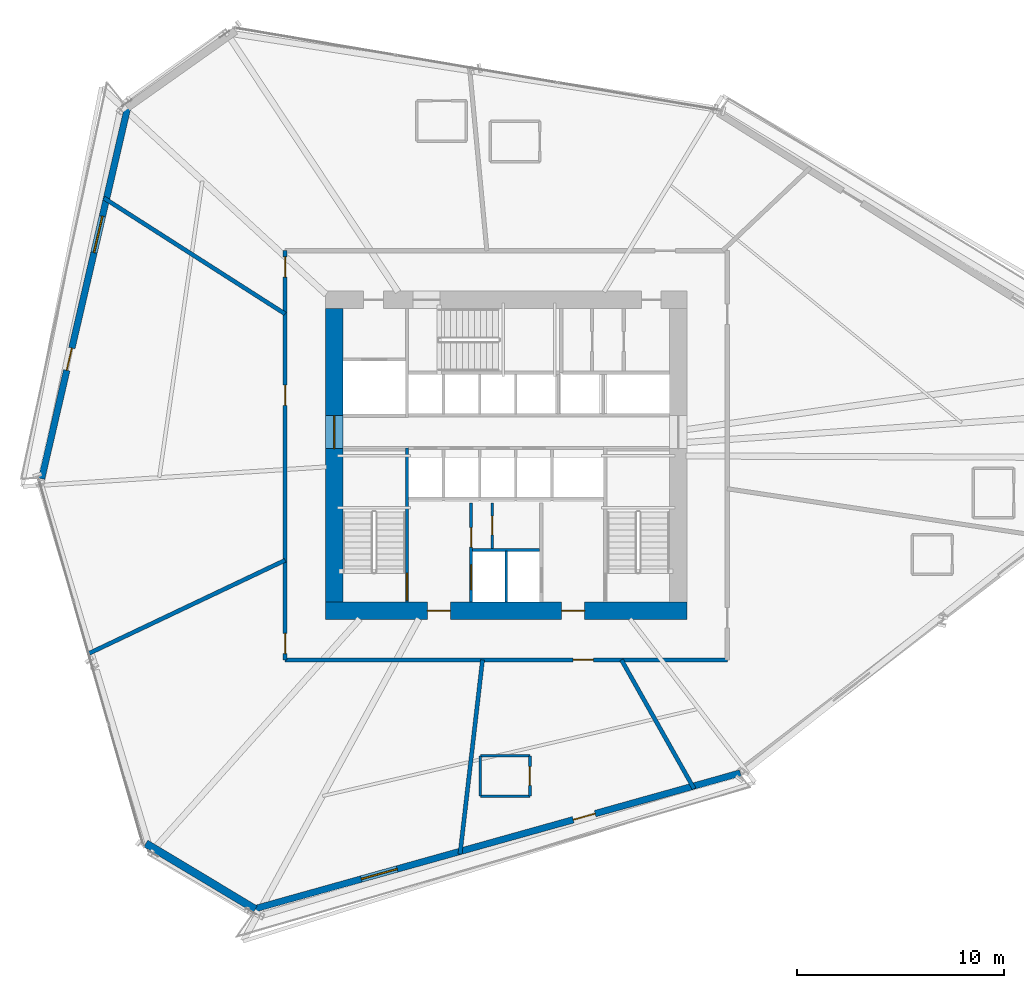
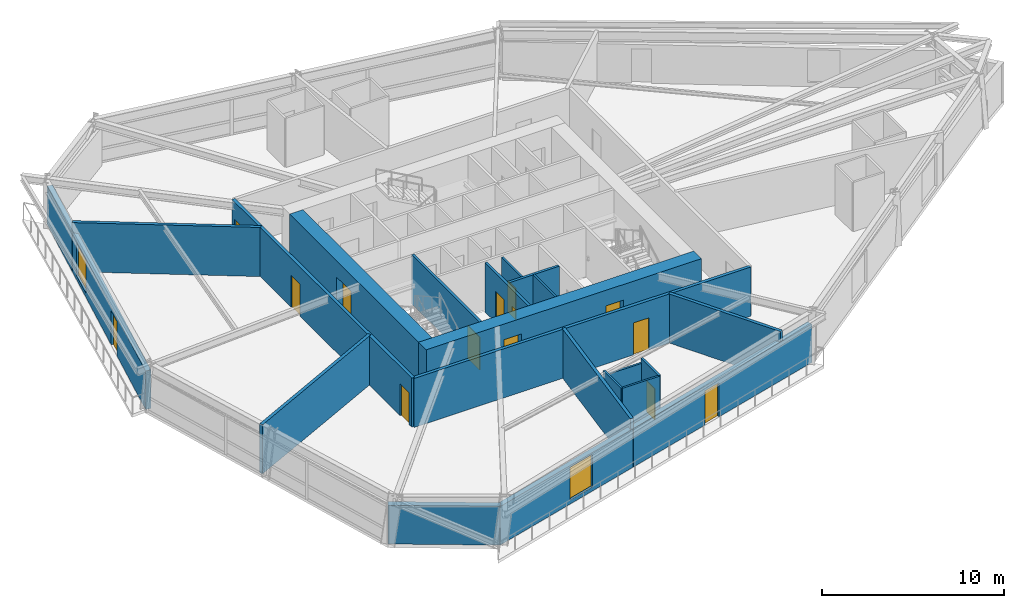
# One storey, part 15 of 21: 20 walls, 14 doors, 2 windows, 16 openings.
"""IFC4 building model written with IfcOpenShell, lengths in metres."""

from ifc_helpers import new_model, si_unit, direction, frame, frame_2d, origin, place, context, subcontext, project, spatial, rectangle, extrude, source, transform, mapped, material, layer, layer_set, type_object, type_shapes, element, fill, save


model = new_model("IFC4")

# Units and contexts
model_context = context("Model", 3, precision=1e-05, world=origin(), true_north=direction((0.0, 1.0)))
body_context = subcontext(model_context, "Body", "Model", "MODEL_VIEW")
ifc_project = project(units=[si_unit("LENGTHUNIT", "METRE"), si_unit("AREAUNIT", "SQUARE_METRE"), si_unit("VOLUMEUNIT", "CUBIC_METRE"), si_unit("PLANEANGLEUNIT", "RADIAN"), si_unit("MASSUNIT", "GRAM", prefix="KILO")], contexts=[model_context])

# Site, building, storey
site_placement = place(None, origin())
site = spatial("IfcSite", under=ifc_project, at=site_placement, CompositionType="ELEMENT")
building_placement = place(site_placement, origin())
building = spatial("IfcBuilding", under=site, at=building_placement, Name="Olszyna Solenne Hotel", CompositionType="ELEMENT")
storey_placement = place(building_placement, frame((0.0, 0.0, 47.050048828125)))
storey = spatial("IfcBuildingStorey", under=building, at=storey_placement, Name="L11", CompositionType="ELEMENT", Elevation=47.050048828125)

# Wall, openings, doors
ifc_material_1 = material(Name="Concrete C60/75", Category="concrete")
ifc_layer_1 = layer(ifc_material_1, 0.85009765625, Name="Concrete C60/75")
ifc_layer_set_1 = layer_set([ifc_layer_1], Name="Concrete C60/75")
wall_type_1 = type_object("IfcWallType", Name="WL-CR850", PredefinedType="SHEAR", material=ifc_layer_set_1)
wall_1_placement = place(storey_placement, frame((46.75, 19.074951171875, 0.0), z_axis=(0.0, 0.0, 1.0), x_axis=(-1.0, 0.0, 0.0)))
wall_1 = element("IfcWall", 1, at=wall_1_placement, inside=storey, type_object=wall_type_1, Name="Core shear wall WL-CR850 CRW-L11-S", PredefinedType="SHEAR", context=body_context, shape_type="SweptSolid", body=[
    extrude(rectangle(XDim=17.5, YDim=0.85009765625, at=frame_2d((8.75, 0.0))), origin(), (0.0, 0.0, 1.0), 3.300048828125),
])
opening_1_placement = place(wall_1_placement, frame((4.949951171875, 0.0, 0.0)))
opening_1 = element("IfcOpeningElement", 2, at=opening_1_placement, cuts=wall_1, Name="Opening FL-L11-1", PredefinedType="OPENING", context=body_context, shape_type="SweptSolid", body=[
    extrude(rectangle(XDim=1.1201171875, YDim=2.25, at=frame_2d((0.56005859375, 1.125))), frame((0.0, 0.43505859375, 0.0), z_axis=(0.0, -1.0, 0.0), x_axis=(1.0, 0.0, 0.0)), (0.0, 0.0, 1.0), 0.8701171875),
])
opening_2_placement = place(wall_1_placement, frame((11.449951171875, 0.0, 0.0)))
opening_2 = element("IfcOpeningElement", 3, at=opening_2_placement, cuts=wall_1, Name="Opening FL-L11-2", PredefinedType="OPENING", context=body_context, shape_type="SweptSolid", body=[
    extrude(rectangle(XDim=1.1201171875, YDim=2.25, at=frame_2d((0.56005859375, 1.125))), frame((0.0, 0.43505859375, 0.0), z_axis=(0.0, -1.0, 0.0), x_axis=(1.0, 0.0, 0.0)), (0.0, 0.0, 1.0), 0.8701171875),
])
ifc_material_2 = material(Name="Steel S355J2", Category="steel")
door_type_1 = type_object("IfcDoorType", Name="DR-FL1", OperationType="NOTDEFINED", PredefinedType="DOOR", material=ifc_material_2)
shared_shape_1 = source(origin(), body_context, "Body", "SweptSolid", [
    extrude(rectangle(XDim=1.1201171875, YDim=2.25, at=frame_2d((0.56005859375, 1.125))), frame((0.0, 0.02490234375, 0.0), z_axis=(0.0, -1.0, 0.0), x_axis=(1.0, 0.0, 0.0)), (0.0, 0.0, 1.0), 0.050048828125),
])
type_shapes(door_type_1, [shared_shape_1])
door_1_placement = place(opening_1_placement, origin())
door_1 = element("IfcDoor", 4, at=door_1_placement, inside=storey, type_object=door_type_1, Name="Firefighting lift lobby smoke door FL-L11-1", OperationType="SINGLE_SWING_LEFT", OverallHeight=2.25, OverallWidth=1.1201171875, PredefinedType="DOOR", context=body_context, shape_type="MappedRepresentation", body=[
    mapped(shared_shape_1, transform((0.0, 0.0, 0.0), x_axis=(1.0, 0.0, 0.0), y_axis=(0.0, 1.0, 0.0), z_axis=(0.0, 0.0, 1.0), scale=1.0)),
])
fill(opening_1, door_1)
door_2_placement = place(opening_2_placement, origin())
door_2 = element("IfcDoor", 5, at=door_2_placement, inside=storey, type_object=door_type_1, Name="Firefighting lift lobby smoke door FL-L11-2", OperationType="SINGLE_SWING_RIGHT", OverallHeight=2.25, OverallWidth=1.1201171875, PredefinedType="DOOR", context=body_context, shape_type="MappedRepresentation", body=[
    mapped(shared_shape_1, transform((0.0, 0.0, 0.0), x_axis=(1.0, 0.0, 0.0), y_axis=(0.0, 1.0, 0.0), z_axis=(0.0, 0.0, 1.0), scale=1.0)),
])
fill(opening_2, door_2)

# Wall, opening, door
wall_2_placement = place(storey_placement, frame((29.675048828125, 19.5, 0.0), z_axis=(0.0, 0.0, 1.0), x_axis=(0.0, 1.0, 0.0)))
wall_2 = element("IfcWall", 6, at=wall_2_placement, inside=storey, type_object=wall_type_1, Name="Core shear wall WL-CR850 CRW-L11-W", PredefinedType="SHEAR", context=body_context, shape_type="SweptSolid", body=[
    extrude(rectangle(XDim=14.199951171875, YDim=0.85009765625, at=frame_2d((7.10009765625, 0.0))), origin(), (0.0, 0.0, 1.0), 3.300048828125),
])
opening_3_placement = place(wall_2_placement, frame((7.419921875, 0.0, 0.0)))
opening_3 = element("IfcOpeningElement", 7, at=opening_3_placement, cuts=wall_2, Name="Opening LHD-L11-W", PredefinedType="OPENING", context=body_context, shape_type="SweptSolid", body=[
    extrude(rectangle(XDim=1.60009765625, YDim=2.199951171875, at=frame_2d((0.800048828125, 1.10009765625))), frame((0.0, 0.43505859375, 0.0), z_axis=(0.0, -1.0, 0.0), x_axis=(1.0, 0.0, 0.0)), (0.0, 0.0, 1.0), 0.8701171875),
])
ifc_material_3 = material(Name="Timber hardwood", Category="wood")
door_type_2 = type_object("IfcDoorType", Name="DR-CR1", OperationType="DOUBLE_DOOR_SINGLE_SWING", PredefinedType="DOOR", material=ifc_material_3)
shared_shape_2 = source(origin(), body_context, "Body", "SweptSolid", [
    extrude(rectangle(XDim=1.60009765625, YDim=2.199951171875, at=frame_2d((0.800048828125, 1.10009765625))), frame((0.0, 0.02490234375, 0.0), z_axis=(0.0, -1.0, 0.0), x_axis=(1.0, 0.0, 0.0)), (0.0, 0.0, 1.0), 0.050048828125),
])
type_shapes(door_type_2, [shared_shape_2])
door_3_placement = place(opening_3_placement, origin())
door_3 = element("IfcDoor", 8, at=door_3_placement, inside=storey, type_object=door_type_2, Name="Passenger lift lobby West fire door LHD-L11-W", OperationType="DOUBLE_DOOR_SINGLE_SWING", OverallHeight=2.199951171875, OverallWidth=1.60009765625, PredefinedType="DOOR", context=body_context, shape_type="MappedRepresentation", body=[
    mapped(shared_shape_2, transform((0.0, 0.0, 0.0), x_axis=(1.0, 0.0, 0.0), y_axis=(0.0, 1.0, 0.0), z_axis=(0.0, 0.0, 1.0), scale=1.0)),
])
fill(opening_3, door_3)

# Wall, openings, door, window
ifc_material_4 = material(Name="Precast concrete C45/55", Category="concrete")
ifc_layer_2 = layer(ifc_material_4, 0.320068359375, Name="Precast concrete C45/55")
ifc_layer_set_2 = layer_set([ifc_layer_2], Name="Precast concrete C45/55")
wall_type_2 = type_object("IfcWallType", Name="WL-EX320", PredefinedType="SOLIDWALL", material=ifc_layer_set_2)
wall_3_placement = place(storey_placement, frame((49.33251953125, 11.221923828125, 0.0), z_axis=(0.0, 0.0, 1.0), x_axis=(-0.96305403072, -0.269308250734, 0.0)))
wall_3 = element("IfcWall", 9, at=wall_3_placement, inside=storey, type_object=wall_type_2, Name="Exterior terracotta-precast frame wall WL-EX320 EW-L11-01", PredefinedType="SOLIDWALL", context=body_context, shape_type="SweptSolid", body=[
    extrude(rectangle(XDim=24.521240234375, YDim=0.320068359375, at=frame_2d((12.2607421875, 0.0))), origin(), (0.0, 0.0, 1.0), 2.592041015625),
])
opening_4_placement = place(wall_3_placement, frame((7.297119140625, 0.0, 0.0)))
opening_4 = element("IfcOpeningElement", 10, at=opening_4_placement, cuts=wall_3, Name="Opening LDG-L11-3", PredefinedType="OPENING", context=body_context, shape_type="SweptSolid", body=[
    extrude(rectangle(XDim=1.10009765625, YDim=2.300048828125, at=frame_2d((0.550048828125, 1.14990234375))), frame((0.0, 0.169921875, 0.0), z_axis=(0.0, -1.0, 0.0), x_axis=(1.0, 0.0, 0.0)), (0.0, 0.0, 1.0), 0.340087890625),
])
opening_5_placement = place(wall_3_placement, frame((17.24609375, 0.0, 0.27197265625)))
opening_5 = element("IfcOpeningElement", 11, at=opening_5_placement, cuts=wall_3, Name="Opening WN-L11-046", PredefinedType="OPENING", context=body_context, shape_type="SweptSolid", body=[
    extrude(rectangle(XDim=1.800048828125, YDim=2.199951171875, at=frame_2d((0.89990234375, 1.10009765625))), frame((0.0, 0.169921875, 0.0), z_axis=(0.0, -1.0, 0.0), x_axis=(1.0, 0.0, 0.0)), (0.0, 0.0, 1.0), 0.340087890625),
])
ifc_material_5 = material(Name="Anodised bronze aluminium", Category="aluminium")
door_type_3 = type_object("IfcDoorType", Name="DR-LG1", OperationType="NOTDEFINED", PredefinedType="DOOR", material=ifc_material_5)
shared_shape_3 = source(origin(), body_context, "Body", "SweptSolid", [
    extrude(rectangle(XDim=1.10009765625, YDim=2.300048828125, at=frame_2d((0.550048828125, 1.14990234375))), frame((0.0, 0.02490234375, 0.0), z_axis=(0.0, -1.0, 0.0), x_axis=(1.0, 0.0, 0.0)), (0.0, 0.0, 1.0), 0.050048828125),
])
type_shapes(door_type_3, [shared_shape_3])
door_4_placement = place(opening_4_placement, origin())
door_4 = element("IfcDoor", 12, at=door_4_placement, inside=storey, type_object=door_type_3, Name="Exterior loggia balcony door DR-LG1 LDG-L11-3", OperationType="SINGLE_SWING_LEFT", OverallHeight=2.300048828125, OverallWidth=1.10009765625, PredefinedType="DOOR", context=body_context, shape_type="MappedRepresentation", body=[
    mapped(shared_shape_3, transform((0.0, 0.0, 0.0), x_axis=(1.0, 0.0, 0.0), y_axis=(0.0, 1.0, 0.0), z_axis=(0.0, 0.0, 1.0), scale=1.0)),
])
fill(opening_4, door_4)
ifc_material_6 = material(Name="Low-E triple glazing", Category="glass")
window_type = type_object("IfcWindowType", Name="WN-HT1", PartitioningType="SINGLE_PANEL", PredefinedType="WINDOW", material=ifc_material_6)
shared_shape_4 = source(origin(), body_context, "Body", "SweptSolid", [
    extrude(rectangle(XDim=1.800048828125, YDim=2.199951171875, at=frame_2d((0.89990234375, 1.10009765625))), frame((0.0, 0.030029296875, 0.0), z_axis=(0.0, -1.0, 0.0), x_axis=(1.0, 0.0, 0.0)), (0.0, 0.0, 1.0), 0.06005859375),
])
type_shapes(window_type, [shared_shape_4])
window_1_placement = place(opening_5_placement, origin())
window_1 = element("IfcWindow", 13, at=window_1_placement, inside=storey, type_object=window_type, Name="Loggia room window WN-HT1 WN-L11-046", OverallHeight=2.199951171875, OverallWidth=1.800048828125, PartitioningType="SINGLE_PANEL", PredefinedType="WINDOW", context=body_context, shape_type="MappedRepresentation", body=[
    mapped(shared_shape_4, transform((0.0, 0.0, 0.0), x_axis=(1.0, 0.0, 0.0), y_axis=(0.0, 1.0, 0.0), z_axis=(0.0, 0.0, 1.0), scale=1.0)),
])
fill(opening_5, window_1)

wall_4_placement = place(storey_placement, frame((15.514404296875, 25.46484375, 0.0), z_axis=(0.0, 0.0, 1.0), x_axis=(0.225730433285, 0.9741898026, 0.0)))
wall_4 = element("IfcWall", 14, at=wall_4_placement, inside=storey, type_object=wall_type_2, Name="Exterior terracotta-precast frame wall WL-EX320 EW-L11-04", PredefinedType="SOLIDWALL", context=body_context, shape_type="SweptSolid", body=[
    extrude(rectangle(XDim=18.567138671875, YDim=0.320068359375, at=frame_2d((9.28369140625, 0.0))), origin(), (0.0, 0.0, 1.0), 2.592041015625),
])
opening_6_placement = place(wall_4_placement, frame((5.39111328125, 0.0, 0.0)))
opening_6 = element("IfcOpeningElement", 15, at=opening_6_placement, cuts=wall_4, Name="Opening LDG-L11-2", PredefinedType="OPENING", context=body_context, shape_type="SweptSolid", body=[
    extrude(rectangle(XDim=1.10009765625, YDim=2.300048828125, at=frame_2d((0.550048828125, 1.14990234375))), frame((0.0, 0.169921875, 0.0), z_axis=(0.0, -1.0, 0.0), x_axis=(1.0, 0.0, 0.0)), (0.0, 0.0, 1.0), 0.340087890625),
])
opening_7_placement = place(wall_4_placement, frame((11.239990234375, 0.0, 0.27197265625)))
opening_7 = element("IfcOpeningElement", 16, at=opening_7_placement, cuts=wall_4, Name="Opening WN-L11-047", PredefinedType="OPENING", context=body_context, shape_type="SweptSolid", body=[
    extrude(rectangle(XDim=1.800048828125, YDim=2.199951171875, at=frame_2d((0.89990234375, 1.10009765625))), frame((0.0, 0.169921875, 0.0), z_axis=(0.0, -1.0, 0.0), x_axis=(1.0, 0.0, 0.0)), (0.0, 0.0, 1.0), 0.340087890625),
])
door_5_placement = place(opening_6_placement, origin())
door_5 = element("IfcDoor", 17, at=door_5_placement, inside=storey, type_object=door_type_3, Name="Exterior loggia balcony door DR-LG1 LDG-L11-2", OperationType="SINGLE_SWING_RIGHT", OverallHeight=2.300048828125, OverallWidth=1.10009765625, PredefinedType="DOOR", context=body_context, shape_type="MappedRepresentation", body=[
    mapped(shared_shape_3, transform((0.0, 0.0, 0.0), x_axis=(1.0, 0.0, 0.0), y_axis=(0.0, 1.0, 0.0), z_axis=(0.0, 0.0, 1.0), scale=1.0)),
])
fill(opening_6, door_5)
window_2_placement = place(opening_7_placement, origin())
window_2 = element("IfcWindow", 18, at=window_2_placement, inside=storey, type_object=window_type, Name="Loggia room window WN-HT1 WN-L11-047", OverallHeight=2.199951171875, OverallWidth=1.800048828125, PartitioningType="SINGLE_PANEL", PredefinedType="WINDOW", context=body_context, shape_type="MappedRepresentation", body=[
    mapped(shared_shape_4, transform((0.0, 0.0, 0.0), x_axis=(1.0, 0.0, 0.0), y_axis=(0.0, 1.0, 0.0), z_axis=(0.0, 0.0, 1.0), scale=1.0)),
])
fill(opening_7, window_2)

# Walls
ifc_material_7 = material(Name="Terracotta cladding on precast concrete C45/55", Category="masonry")
ifc_layer_3 = layer(ifc_material_7, 0.3798828125, Name="Terracotta cladding on precast concrete C45/55")
ifc_layer_set_3 = layer_set([ifc_layer_3], Name="Terracotta cladding on precast concrete C45/55")
wall_type_3 = type_object("IfcWallType", Name="WL-EX380", PredefinedType="SOLIDWALL", material=ifc_layer_set_3)
wall_5_placement = place(storey_placement, frame((25.858154296875, 4.626953125, 0.0), z_axis=(0.0, 0.0, 1.0), x_axis=(-0.857186181791, 0.515006650196, 0.0)))
element("IfcWall", 19, at=wall_5_placement, inside=storey, type_object=wall_type_3, Name="Exterior terracotta-precast frame wall WL-EX380 EW-L11-02", PredefinedType="SOLIDWALL", context=body_context, shape_type="SweptSolid", body=[
    extrude(rectangle(XDim=6.18310546875, YDim=0.3798828125, at=frame_2d((3.091552734375, 0.0))), origin(), (0.0, 0.0, 1.0), 2.592041015625),
])
ifc_material_8 = material(Name="Acoustic gypsum partition", Category="gypsum")
ifc_layer_4 = layer(ifc_material_8, 0.125, Name="Acoustic gypsum partition")
ifc_layer_set_4 = layer_set([ifc_layer_4], Name="Acoustic gypsum partition")
wall_type_4 = type_object("IfcWallType", Name="WL-PT125", PredefinedType="PARTITIONING", material=ifc_layer_set_4)
wall_6_placement = place(storey_placement, frame((38.0, 19.5, 0.0), z_axis=(0.0, 0.0, 1.0), x_axis=(0.0, 1.0, 0.0)))
element("IfcWall", 20, at=wall_6_placement, inside=storey, type_object=wall_type_4, Name="Core shaft compartment wall CW-L11-FFM", PredefinedType="PARTITIONING", context=body_context, shape_type="SweptSolid", body=[
    extrude(rectangle(XDim=2.4599609375, YDim=0.125, at=frame_2d((1.22998046875, 0.0))), origin(), (0.0, 0.0, 1.0), 3.300048828125),
])

# Wall, opening, door
wall_7_placement = place(storey_placement, frame((37.330078125, 22.10009765625, 0.0), z_axis=(0.0, 0.0, 1.0), x_axis=(0.0, 1.0, 0.0)))
wall_7 = element("IfcWall", 21, at=wall_7_placement, inside=storey, type_object=wall_type_4, Name="Core shaft compartment wall CW-L11-SC3", PredefinedType="PARTITIONING", context=body_context, shape_type="SweptSolid", body=[
    extrude(rectangle(XDim=2.179931640625, YDim=0.125, at=frame_2d((1.08984375, 0.0))), origin(), (0.0, 0.0, 1.0), 3.300048828125),
])
opening_8_placement = place(wall_7_placement, frame((0.64990234375, 0.0, 0.0)))
opening_8 = element("IfcOpeningElement", 22, at=opening_8_placement, cuts=wall_7, Name="Opening SVD-L11-SC3", PredefinedType="OPENING", context=body_context, shape_type="SweptSolid", body=[
    extrude(rectangle(XDim=0.89990234375, YDim=2.10009765625, at=frame_2d((0.449951171875, 1.050048828125))), frame((0.0, 0.072509765625, 0.0), z_axis=(0.0, -1.0, 0.0), x_axis=(1.0, 0.0, 0.0)), (0.0, 0.0, 1.0), 0.14501953125),
])
door_type_4 = type_object("IfcDoorType", Name="DR-WC1", OperationType="NOTDEFINED", PredefinedType="DOOR", material=ifc_material_3)
shared_shape_5 = source(origin(), body_context, "Body", "SweptSolid", [
    extrude(rectangle(XDim=0.89990234375, YDim=2.10009765625, at=frame_2d((0.449951171875, 1.050048828125))), frame((0.0, 0.02490234375, 0.0), z_axis=(0.0, -1.0, 0.0), x_axis=(1.0, 0.0, 0.0)), (0.0, 0.0, 1.0), 0.050048828125),
])
type_shapes(door_type_4, [shared_shape_5])
door_6_placement = place(opening_8_placement, origin())
door_6 = element("IfcDoor", 23, at=door_6_placement, inside=storey, type_object=door_type_4, Name="Trolley bay door SVD-L11-SC3", OperationType="SINGLE_SWING_LEFT", OverallHeight=2.10009765625, OverallWidth=0.89990234375, PredefinedType="DOOR", context=body_context, shape_type="MappedRepresentation", body=[
    mapped(shared_shape_5, transform((0.0, 0.0, 0.0), x_axis=(1.0, 0.0, 0.0), y_axis=(0.0, 1.0, 0.0), z_axis=(0.0, 0.0, 1.0), scale=1.0)),
])
fill(opening_8, door_6)

wall_8_placement = place(storey_placement, frame((39.15087890625, 10.10205078125, 0.0), z_axis=(0.0, 0.0, 1.0), x_axis=(0.0, 1.0, 0.0)))
wall_8 = element("IfcWall", 24, at=wall_8_placement, inside=storey, type_object=wall_type_4, Name="Interior acoustic partition WL-PT125 PW-L11-0616", PredefinedType="PARTITIONING", context=body_context, shape_type="SweptSolid", body=[
    extrude(rectangle(XDim=1.949951171875, YDim=0.125, at=frame_2d((0.97509765625, 0.0))), origin(), (0.0, 0.0, 1.0), 3.300048828125),
])
opening_9_placement = place(wall_8_placement, frame((0.52490234375, 0.0, 0.0)))
opening_9 = element("IfcOpeningElement", 25, at=opening_9_placement, cuts=wall_8, Name="Opening DR-L11-0132", PredefinedType="OPENING", context=body_context, shape_type="SweptSolid", body=[
    extrude(rectangle(XDim=0.89990234375, YDim=2.10009765625, at=frame_2d((0.449951171875, 1.050048828125))), frame((0.0, 0.072509765625, 0.0), z_axis=(0.0, -1.0, 0.0), x_axis=(1.0, 0.0, 0.0)), (0.0, 0.0, 1.0), 0.14501953125),
])
door_7_placement = place(opening_9_placement, origin())
door_7 = element("IfcDoor", 26, at=door_7_placement, inside=storey, type_object=door_type_4, Name="En-Suite Bathroom Door DR-L11-0132", OperationType="SINGLE_SWING_RIGHT", OverallHeight=2.10009765625, OverallWidth=0.89990234375, PredefinedType="DOOR", context=body_context, shape_type="MappedRepresentation", body=[
    mapped(shared_shape_5, transform((0.0, 0.0, 0.0), x_axis=(1.0, 0.0, 0.0), y_axis=(0.0, 1.0, 0.0), z_axis=(0.0, 0.0, 1.0), scale=1.0)),
])
fill(opening_9, door_7)

# Walls
wall_9_placement = place(storey_placement, frame((39.15087890625, 12.052001953125, 0.0), z_axis=(0.0, 0.0, 1.0), x_axis=(-1.0, 0.0, 0.0)))
element("IfcWall", 27, at=wall_9_placement, inside=storey, type_object=wall_type_4, Name="Interior acoustic partition WL-PT125 PW-L11-0617", PredefinedType="PARTITIONING", context=body_context, shape_type="SweptSolid", body=[
    extrude(rectangle(XDim=2.39990234375, YDim=0.125, at=frame_2d((1.199951171875, 0.0))), origin(), (0.0, 0.0, 1.0), 2.98486328125),
])
wall_10_placement = place(storey_placement, frame((36.7509765625, 12.052001953125, 0.0), z_axis=(0.0, 0.0, 1.0), x_axis=(0.0, -1.0, 0.0)))
element("IfcWall", 28, at=wall_10_placement, inside=storey, type_object=wall_type_4, Name="Interior acoustic partition WL-PT125 PW-L11-0618", PredefinedType="PARTITIONING", context=body_context, shape_type="SweptSolid", body=[
    extrude(rectangle(XDim=1.949951171875, YDim=0.125, at=frame_2d((0.97509765625, 0.0))), origin(), (0.0, 0.0, 1.0), 3.300048828125),
])
wall_11_placement = place(storey_placement, frame((36.7509765625, 10.10205078125, 0.0), z_axis=(0.0, 0.0, 1.0), x_axis=(1.0, 0.0, 0.0)))
element("IfcWall", 29, at=wall_11_placement, inside=storey, type_object=wall_type_4, Name="Interior acoustic partition WL-PT125 PW-L11-0619", PredefinedType="PARTITIONING", context=body_context, shape_type="SweptSolid", body=[
    extrude(rectangle(XDim=2.39990234375, YDim=0.125, at=frame_2d((1.199951171875, 0.0))), origin(), (0.0, 0.0, 1.0), 3.300048828125),
])

# Wall, opening, door
ifc_layer_5 = layer(ifc_material_8, 0.159912109375, Name="Acoustic gypsum partition")
ifc_layer_set_5 = layer_set([ifc_layer_5], Name="Acoustic gypsum partition")
wall_type_5 = type_object("IfcWallType", Name="WL-PT160", PredefinedType="PARTITIONING", material=ifc_layer_set_5)
wall_12_placement = place(storey_placement, frame((33.199951171875, 19.5, 0.0), z_axis=(0.0, 0.0, 1.0), x_axis=(0.0, 1.0, 0.0)))
wall_12 = element("IfcWall", 30, at=wall_12_placement, inside=storey, type_object=wall_type_5, Name="Core shaft compartment wall CW-L11-ST1E", PredefinedType="PARTITIONING", context=body_context, shape_type="SweptSolid", body=[
    extrude(rectangle(XDim=7.4599609375, YDim=0.159912109375, at=frame_2d((3.72998046875, 0.0))), origin(), (0.0, 0.0, 1.0), 3.300048828125),
])
opening_10_placement = place(wall_12_placement, frame((0.080078125, 0.0, 0.0)))
opening_10 = element("IfcOpeningElement", 31, at=opening_10_placement, cuts=wall_12, Name="Opening STD-L11-01", PredefinedType="OPENING", context=body_context, shape_type="SweptSolid", body=[
    extrude(rectangle(XDim=1.320068359375, YDim=2.199951171875, at=frame_2d((0.66015625, 1.10009765625))), frame((0.0, 0.08984375, 0.0), z_axis=(0.0, -1.0, 0.0), x_axis=(1.0, 0.0, 0.0)), (0.0, 0.0, 1.0), 0.179931640625),
])
door_type_5 = type_object("IfcDoorType", Name="DR-ST1", OperationType="NOTDEFINED", PredefinedType="DOOR", material=ifc_material_2)
shared_shape_6 = source(origin(), body_context, "Body", "SweptSolid", [
    extrude(rectangle(XDim=1.320068359375, YDim=2.199951171875, at=frame_2d((0.66015625, 1.10009765625))), frame((0.0, 0.02490234375, 0.0), z_axis=(0.0, -1.0, 0.0), x_axis=(1.0, 0.0, 0.0)), (0.0, 0.0, 1.0), 0.050048828125),
])
type_shapes(door_type_5, [shared_shape_6])
door_8_placement = place(opening_10_placement, origin())
door_8 = element("IfcDoor", 32, at=door_8_placement, inside=storey, type_object=door_type_5, Name="Pressurised exit stair ST1 fire door STD-L11-01", OperationType="SINGLE_SWING_LEFT", OverallHeight=2.199951171875, OverallWidth=1.320068359375, PredefinedType="DOOR", context=body_context, shape_type="MappedRepresentation", body=[
    mapped(shared_shape_6, transform((0.0, 0.0, 0.0), x_axis=(1.0, 0.0, 0.0), y_axis=(0.0, 1.0, 0.0), z_axis=(0.0, 0.0, 1.0), scale=1.0)),
])
fill(opening_10, door_8)

# Wall, openings, doors
wall_13_placement = place(storey_placement, frame((36.300048828125, 19.5, 0.0), z_axis=(0.0, 0.0, 1.0), x_axis=(0.0, 1.0, 0.0)))
wall_13 = element("IfcWall", 33, at=wall_13_placement, inside=storey, type_object=wall_type_5, Name="Core shaft compartment wall CW-L11-FF1W", PredefinedType="PARTITIONING", context=body_context, shape_type="SweptSolid", body=[
    extrude(rectangle(XDim=4.780029296875, YDim=0.159912109375, at=frame_2d((2.39013671875, 0.0))), origin(), (0.0, 0.0, 1.0), 3.300048828125),
])
opening_11_placement = place(wall_13_placement, frame((0.60009765625, 0.0, 0.0)))
opening_11 = element("IfcOpeningElement", 34, at=opening_11_placement, cuts=wall_13, Name="Opening LD-L11-FF1", PredefinedType="OPENING", context=body_context, shape_type="SweptSolid", body=[
    extrude(rectangle(XDim=1.199951171875, YDim=2.199951171875, at=frame_2d((0.60009765625, 1.10009765625))), frame((0.0, 0.08984375, 0.0), z_axis=(0.0, -1.0, 0.0), x_axis=(1.0, 0.0, 0.0)), (0.0, 0.0, 1.0), 0.179931640625),
])
opening_12_placement = place(wall_13_placement, frame((2.64990234375, 0.0, 0.0)))
opening_12 = element("IfcOpeningElement", 35, at=opening_12_placement, cuts=wall_13, Name="Opening SVD-L11-SMK", PredefinedType="OPENING", context=body_context, shape_type="SweptSolid", body=[
    extrude(rectangle(XDim=0.949951171875, YDim=2.10009765625, at=frame_2d((0.47509765625, 1.050048828125))), frame((0.0, 0.08984375, 0.0), z_axis=(0.0, -1.0, 0.0), x_axis=(1.0, 0.0, 0.0)), (0.0, 0.0, 1.0), 0.179931640625),
])
door_type_6 = type_object("IfcDoorType", Name="DR-SV1", OperationType="NOTDEFINED", PredefinedType="DOOR", material=ifc_material_2)
shared_shape_7 = source(origin(), body_context, "Body", "SweptSolid", [
    extrude(rectangle(XDim=0.949951171875, YDim=2.10009765625, at=frame_2d((0.47509765625, 1.050048828125))), frame((0.0, 0.02490234375, 0.0), z_axis=(0.0, -1.0, 0.0), x_axis=(1.0, 0.0, 0.0)), (0.0, 0.0, 1.0), 0.050048828125),
])
type_shapes(door_type_6, [shared_shape_7])
door_9_placement = place(opening_12_placement, origin())
door_9 = element("IfcDoor", 36, at=door_9_placement, inside=storey, type_object=door_type_6, Name="Valet and core service room door SVD-L11-SMK", OperationType="SINGLE_SWING_LEFT", OverallHeight=2.10009765625, OverallWidth=0.949951171875, PredefinedType="DOOR", context=body_context, shape_type="MappedRepresentation", body=[
    mapped(shared_shape_7, transform((0.0, 0.0, 0.0), x_axis=(1.0, 0.0, 0.0), y_axis=(0.0, 1.0, 0.0), z_axis=(0.0, 0.0, 1.0), scale=1.0)),
])
fill(opening_12, door_9)
door_type_7 = type_object("IfcDoorType", Name="LD-FF1", OperationType="DOUBLE_DOOR_SLIDING", PredefinedType="DOOR", material=ifc_material_2)
shared_shape_8 = source(origin(), body_context, "Body", "SweptSolid", [
    extrude(rectangle(XDim=1.199951171875, YDim=2.199951171875, at=frame_2d((0.60009765625, 1.10009765625))), frame((0.0, 0.02490234375, 0.0), z_axis=(0.0, -1.0, 0.0), x_axis=(1.0, 0.0, 0.0)), (0.0, 0.0, 1.0), 0.050048828125),
])
type_shapes(door_type_7, [shared_shape_8])
door_10_placement = place(opening_11_placement, origin())
door_10 = element("IfcDoor", 37, at=door_10_placement, inside=storey, type_object=door_type_7, Name="Firefighters lift FF1 sliding landing door LD-L11-FF1", OperationType="DOUBLE_DOOR_SLIDING", OverallHeight=2.199951171875, OverallWidth=1.199951171875, PredefinedType="DOOR", context=body_context, shape_type="MappedRepresentation", body=[
    mapped(shared_shape_8, transform((0.0, 0.0, 0.0), x_axis=(1.0, 0.0, 0.0), y_axis=(0.0, 1.0, 0.0), z_axis=(0.0, 0.0, 1.0), scale=1.0)),
])
fill(opening_11, door_10)

# Walls
wall_14_placement = place(storey_placement, frame((36.3798828125, 22.02001953125, 0.0), z_axis=(0.0, 0.0, 1.0), x_axis=(1.0, 0.0, 0.0)))
element("IfcWall", 38, at=wall_14_placement, inside=storey, type_object=wall_type_5, Name="Core shaft compartment wall CW-L11-FFN", PredefinedType="PARTITIONING", context=body_context, shape_type="SweptSolid", body=[
    extrude(rectangle(XDim=3.240234375, YDim=0.159912109375, at=frame_2d((1.6201171875, 0.0))), origin(), (0.0, 0.0, 1.0), 3.300048828125),
])
ifc_layer_6 = layer(ifc_material_8, 0.199951171875, Name="Acoustic gypsum partition")
ifc_layer_set_6 = layer_set([ifc_layer_6], Name="Acoustic gypsum partition")
wall_type_6 = type_object("IfcWallType", Name="WL-PT200", PredefinedType="PARTITIONING", material=ifc_layer_set_6)
wall_15_placement = place(storey_placement, frame((43.578369140625, 16.699951171875, 0.0), z_axis=(0.0, 0.0, 1.0), x_axis=(0.490916627621, -0.871206556865, 0.0)))
element("IfcWall", 39, at=wall_15_placement, inside=storey, type_object=wall_type_6, Name="Interior acoustic partition WL-PT200 PW-L11-0593", PredefinedType="PARTITIONING", context=body_context, shape_type="SweptSolid", body=[
    extrude(rectangle(XDim=7.161376953125, YDim=0.199951171875, at=frame_2d((3.58056640625, 0.0))), origin(), (0.0, 0.0, 1.0), 3.300048828125),
])
wall_16_placement = place(storey_placement, frame((27.300048828125, 33.44287109375, 0.0), z_axis=(0.0, 0.0, 1.0), x_axis=(-0.842452354431, 0.538770851581, 0.0)))
element("IfcWall", 40, at=wall_16_placement, inside=storey, type_object=wall_type_6, Name="Interior acoustic partition WL-PT200 PW-L11-0597", PredefinedType="PARTITIONING", context=body_context, shape_type="SweptSolid", body=[
    extrude(rectangle(XDim=10.410888671875, YDim=0.199951171875, at=frame_2d((5.20556640625, 0.0))), origin(), (0.0, 0.0, 1.0), 3.300048828125),
])
wall_17_placement = place(storey_placement, frame((27.300048828125, 21.519287109375, 0.0), z_axis=(0.0, 0.0, 1.0), x_axis=(-0.90333786909, -0.428929707839, 0.0)))
element("IfcWall", 41, at=wall_17_placement, inside=storey, type_object=wall_type_6, Name="Interior acoustic partition WL-PT200 PW-L11-0598", PredefinedType="PARTITIONING", context=body_context, shape_type="SweptSolid", body=[
    extrude(rectangle(XDim=10.500244140625, YDim=0.199951171875, at=frame_2d((5.25, 0.0))), origin(), (0.0, 0.0, 1.0), 3.300048828125),
])
wall_18_placement = place(storey_placement, frame((36.8544921875, 16.699951171875, 0.0), z_axis=(0.0, 0.0, 1.0), x_axis=(-0.11493529064, -0.993372980791, 0.0)))
element("IfcWall", 42, at=wall_18_placement, inside=storey, type_object=wall_type_6, Name="Interior acoustic partition WL-PT200 PW-L11-0599", PredefinedType="PARTITIONING", context=body_context, shape_type="SweptSolid", body=[
    extrude(rectangle(XDim=9.469482421875, YDim=0.199951171875, at=frame_2d((4.73486328125, 0.0))), origin(), (0.0, 0.0, 1.0), 3.300048828125),
])

# Wall, opening, door
wall_19_placement = place(storey_placement, frame((27.300048828125, 16.699951171875, 0.0), z_axis=(0.0, 0.0, 1.0), x_axis=(1.0, 0.0, 0.0)))
wall_19 = element("IfcWall", 43, at=wall_19_placement, inside=storey, type_object=wall_type_6, Name="Interior acoustic partition WL-PT200 PW-L11-0620", PredefinedType="PARTITIONING", context=body_context, shape_type="SweptSolid", body=[
    extrude(rectangle(XDim=21.39990234375, YDim=0.199951171875, at=frame_2d((10.699951171875, 0.0))), origin(), (0.0, 0.0, 1.0), 3.300048828125),
])
opening_13_placement = place(wall_19_placement, frame((13.944091796875, 0.0, 0.0)))
opening_13 = element("IfcOpeningElement", 44, at=opening_13_placement, cuts=wall_19, Name="Opening DR-L11-0133", PredefinedType="OPENING", context=body_context, shape_type="SweptSolid", body=[
    extrude(rectangle(XDim=0.97998046875, YDim=2.14990234375, at=frame_2d((0.489990234375, 1.074951171875))), frame((0.0, 0.10986328125, 0.0), z_axis=(0.0, -1.0, 0.0), x_axis=(1.0, 0.0, 0.0)), (0.0, 0.0, 1.0), 0.219970703125),
])
door_type_8 = type_object("IfcDoorType", Name="DR-RM1", OperationType="NOTDEFINED", PredefinedType="DOOR", material=ifc_material_3)
shared_shape_9 = source(origin(), body_context, "Body", "SweptSolid", [
    extrude(rectangle(XDim=0.97998046875, YDim=2.14990234375, at=frame_2d((0.489990234375, 1.074951171875))), frame((0.0, 0.02490234375, 0.0), z_axis=(0.0, -1.0, 0.0), x_axis=(1.0, 0.0, 0.0)), (0.0, 0.0, 1.0), 0.050048828125),
])
type_shapes(door_type_8, [shared_shape_9])
door_11_placement = place(opening_13_placement, origin())
door_11 = element("IfcDoor", 45, at=door_11_placement, inside=storey, type_object=door_type_8, Name="Executive Reading Salon Entrance Door DR-L11-0133", OperationType="SINGLE_SWING_RIGHT", OverallHeight=2.14990234375, OverallWidth=0.97998046875, PredefinedType="DOOR", context=body_context, shape_type="MappedRepresentation", body=[
    mapped(shared_shape_9, transform((0.0, 0.0, 0.0), x_axis=(1.0, 0.0, 0.0), y_axis=(0.0, 1.0, 0.0), z_axis=(0.0, 0.0, 1.0), scale=1.0)),
])
fill(opening_13, door_11)

# Wall, openings, doors
wall_20_placement = place(storey_placement, frame((27.300048828125, 16.699951171875, 0.0), z_axis=(0.0, 0.0, 1.0), x_axis=(0.0, 1.0, 0.0)))
wall_20 = element("IfcWall", 46, at=wall_20_placement, inside=storey, type_object=wall_type_6, Name="Interior acoustic partition WL-PT200 PW-L11-0621", PredefinedType="PARTITIONING", context=body_context, shape_type="SweptSolid", body=[
    extrude(rectangle(XDim=19.800048828125, YDim=0.199951171875, at=frame_2d((9.89990234375, 0.0))), origin(), (0.0, 0.0, 1.0), 3.300048828125),
])
opening_14_placement = place(wall_20_placement, frame((18.52001953125, 0.0, 0.0)))
opening_14 = element("IfcOpeningElement", 47, at=opening_14_placement, cuts=wall_20, Name="Opening DR-L11-0134", PredefinedType="OPENING", context=body_context, shape_type="SweptSolid", body=[
    extrude(rectangle(XDim=0.97998046875, YDim=2.14990234375, at=frame_2d((0.489990234375, 1.074951171875))), frame((0.0, 0.10986328125, 0.0), z_axis=(0.0, -1.0, 0.0), x_axis=(1.0, 0.0, 0.0)), (0.0, 0.0, 1.0), 0.219970703125),
])
opening_15_placement = place(wall_20_placement, frame((12.318115234375, 0.0, 0.0)))
opening_15 = element("IfcOpeningElement", 48, at=opening_15_placement, cuts=wall_20, Name="Opening DR-L11-0135", PredefinedType="OPENING", context=body_context, shape_type="SweptSolid", body=[
    extrude(rectangle(XDim=0.97998046875, YDim=2.14990234375, at=frame_2d((0.489990234375, 1.074951171875))), frame((0.0, 0.10986328125, 0.0), z_axis=(0.0, -1.0, 0.0), x_axis=(1.0, 0.0, 0.0)), (0.0, 0.0, 1.0), 0.219970703125),
])
opening_16_placement = place(wall_20_placement, frame((0.300048828125, 0.0, 0.0)))
opening_16 = element("IfcOpeningElement", 49, at=opening_16_placement, cuts=wall_20, Name="Opening DR-L11-0136", PredefinedType="OPENING", context=body_context, shape_type="SweptSolid", body=[
    extrude(rectangle(XDim=0.97998046875, YDim=2.14990234375, at=frame_2d((0.489990234375, 1.074951171875))), frame((0.0, 0.10986328125, 0.0), z_axis=(0.0, -1.0, 0.0), x_axis=(1.0, 0.0, 0.0)), (0.0, 0.0, 1.0), 0.219970703125),
])
door_12_placement = place(opening_14_placement, origin())
door_12 = element("IfcDoor", 50, at=door_12_placement, inside=storey, type_object=door_type_8, Name="Premier King Suite Entrance Door DR-L11-0134", OperationType="SINGLE_SWING_LEFT", OverallHeight=2.14990234375, OverallWidth=0.97998046875, PredefinedType="DOOR", context=body_context, shape_type="MappedRepresentation", body=[
    mapped(shared_shape_9, transform((0.0, 0.0, 0.0), x_axis=(1.0, 0.0, 0.0), y_axis=(0.0, 1.0, 0.0), z_axis=(0.0, 0.0, 1.0), scale=1.0)),
])
fill(opening_14, door_12)
door_13_placement = place(opening_15_placement, origin())
door_13 = element("IfcDoor", 51, at=door_13_placement, inside=storey, type_object=door_type_8, Name="Boutique Art Gallery Entrance Door DR-L11-0135", OperationType="SINGLE_SWING_RIGHT", OverallHeight=2.14990234375, OverallWidth=0.97998046875, PredefinedType="DOOR", context=body_context, shape_type="MappedRepresentation", body=[
    mapped(shared_shape_9, transform((0.0, 0.0, 0.0), x_axis=(1.0, 0.0, 0.0), y_axis=(0.0, 1.0, 0.0), z_axis=(0.0, 0.0, 1.0), scale=1.0)),
])
fill(opening_15, door_13)
door_14_placement = place(opening_16_placement, origin())
door_14 = element("IfcDoor", 52, at=door_14_placement, inside=storey, type_object=door_type_8, Name="Boutique Art Gallery Entrance Door DR-L11-0136", OperationType="SINGLE_SWING_LEFT", OverallHeight=2.14990234375, OverallWidth=0.97998046875, PredefinedType="DOOR", context=body_context, shape_type="MappedRepresentation", body=[
    mapped(shared_shape_9, transform((0.0, 0.0, 0.0), x_axis=(1.0, 0.0, 0.0), y_axis=(0.0, 1.0, 0.0), z_axis=(0.0, 0.0, 1.0), scale=1.0)),
])
fill(opening_16, door_14)

save(model, "model.ifc")
